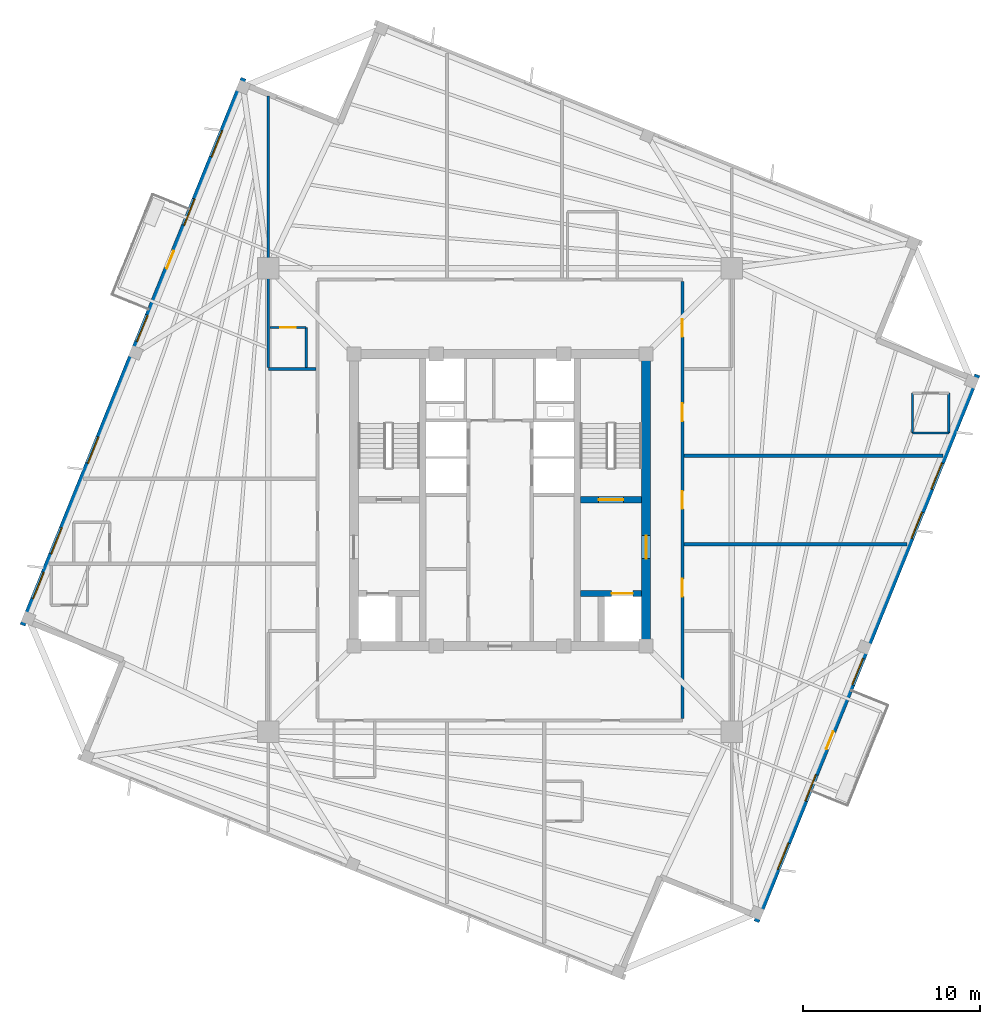
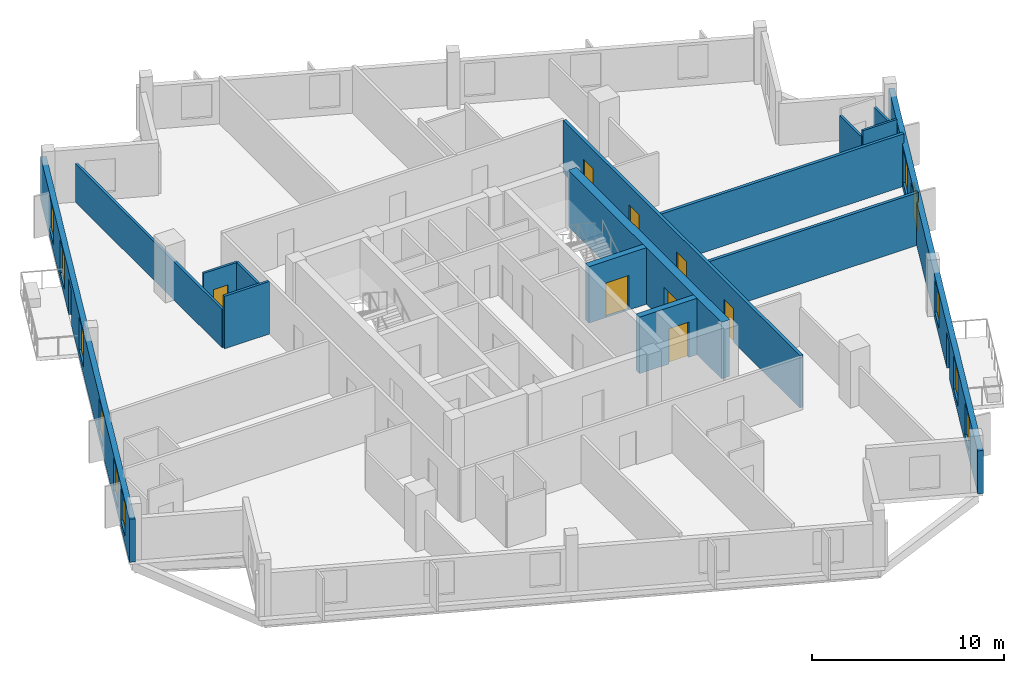
# One storey, part 4 of 8: 15 walls, 11 windows, 10 doors, 21 openings.
"""IFC4 building model written with IfcOpenShell, lengths in metres."""

from ifc_helpers import new_model, si_unit, direction, frame, frame_2d, origin, place, context, subcontext, project, spatial, rectangle, extrude, source, transform, mapped, material, layer, layer_set, type_object, element, fill, save


model = new_model("IFC4")

# Units and contexts
model_context = context("Model", 3, precision=1e-05, world=origin(), true_north=direction((0.0, 1.0)))
body_context = subcontext(model_context, "Body", "Model", "MODEL_VIEW")
ifc_project = project(units=[si_unit("LENGTHUNIT", "METRE"), si_unit("AREAUNIT", "SQUARE_METRE"), si_unit("VOLUMEUNIT", "CUBIC_METRE"), si_unit("PLANEANGLEUNIT", "RADIAN"), si_unit("MASSUNIT", "GRAM", prefix="KILO"), si_unit("THERMODYNAMICTEMPERATUREUNIT", "KELVIN")], contexts=[model_context])

# Site, building, storey
site_placement = place(None, origin())
site = spatial("IfcSite", under=ifc_project, at=site_placement, CompositionType="ELEMENT")
building_placement = place(site_placement, origin())
building = spatial("IfcBuilding", under=site, at=building_placement, Name="Kosmvard Interchange Tower", CompositionType="ELEMENT")
storey_placement = place(building_placement, frame((0.0, 0.0, 304.800048828125)))
storey = spatial("IfcBuildingStorey", under=building, at=storey_placement, Name="L75", CompositionType="ELEMENT", Elevation=304.800048828125)

# Walls
ifc_material_1 = material(Name="Acoustic gypsum partition system")
ifc_layer_1 = layer(ifc_material_1, 0.14990234375, Name="Acoustic gypsum partition system")
ifc_layer_set_1 = layer_set([ifc_layer_1], Name="Acoustic gypsum partition system")
wall_type_1 = type_object("IfcWallType", Name="Acoustic Suite & Meeting Partition 150", PredefinedType="PARTITIONING", material=ifc_layer_set_1)
wall_1_placement = place(storey_placement, frame((-10.39501953125, 7.39990234375, 0.0), z_axis=(0.0, 0.0, 1.0), x_axis=(-1.0, 0.0, 0.0)))
element("IfcWall", 1, at=wall_1_placement, inside=storey, type_object=wall_type_1, Name="L75 Room Partition 09.1", PredefinedType="PARTITIONING", context=body_context, shape_type="SweptSolid", body=[
    extrude(rectangle(XDim=2.68603515625, YDim=0.14990234375, at=frame_2d((1.343017578125, 0.0))), origin(), (0.0, 0.0, 1.0), 3.349853515625),
])
wall_2_placement = place(storey_placement, frame((-13.0810546875, 7.47509765625, 0.0), z_axis=(0.0, 0.0, 1.0), x_axis=(0.0, 1.0, 0.0)))
element("IfcWall", 2, at=wall_2_placement, inside=storey, type_object=wall_type_1, Name="L75 Room Partition 10.1", PredefinedType="PARTITIONING", context=body_context, shape_type="SweptSolid", body=[
    extrude(rectangle(XDim=15.341552734375, YDim=0.14990234375, at=frame_2d((7.6708984375, 0.0))), origin(), (0.0, 0.0, 1.0), 2.449951171875),
])

# Wall, openings, doors
ifc_material_2 = material(Name="Fire-rated gypsum partition system")
ifc_layer_2 = layer(ifc_material_2, 0.179931640625, Name="Fire-rated gypsum partition system")
ifc_layer_set_2 = layer_set([ifc_layer_2], Name="Fire-rated gypsum partition system")
wall_type_2 = type_object("IfcWallType", Name="Corridor & Hotel Compartment Partition 180", PredefinedType="PARTITIONING", material=ifc_layer_set_2)
wall_3_placement = place(storey_placement, frame((10.300048828125, -12.35009765625, 0.0), z_axis=(0.0, 0.0, 1.0), x_axis=(0.0, 1.0, 0.0)))
wall_3 = element("IfcWall", 3, at=wall_3_placement, inside=storey, type_object=wall_type_2, Name="L75 Corridor Wall CE", PredefinedType="PARTITIONING", context=body_context, shape_type="SweptSolid", body=[
    extrude(rectangle(XDim=24.7001953125, YDim=0.179931640625, at=frame_2d((12.35009765625, 0.0))), origin(), (0.0, 0.0, 1.0), 3.349853515625),
])
opening_1_placement = place(wall_3_placement, frame((21.560546875, 0.0, 0.0)))
opening_1 = element("IfcOpeningElement", 4, at=opening_1_placement, cuts=wall_3, Name="Opening L75-D07", PredefinedType="OPENING", context=body_context, shape_type="SweptSolid", body=[
    extrude(rectangle(XDim=1.0, YDim=2.14990234375, at=frame_2d((0.5, 1.074951171875))), frame((0.0, 0.10009765625, 0.0), z_axis=(0.0, -1.0, 0.0), x_axis=(1.0, 0.0, 0.0)), (0.0, 0.0, 1.0), 0.199951171875),
])
opening_2_placement = place(wall_3_placement, frame((16.800048828125, 0.0, 0.0)))
opening_2 = element("IfcOpeningElement", 5, at=opening_2_placement, cuts=wall_3, Name="Opening L75-D08", PredefinedType="OPENING", context=body_context, shape_type="SweptSolid", body=[
    extrude(rectangle(XDim=1.0, YDim=2.14990234375, at=frame_2d((0.5, 1.074951171875))), frame((0.0, 0.10009765625, 0.0), z_axis=(0.0, -1.0, 0.0), x_axis=(1.0, 0.0, 0.0)), (0.0, 0.0, 1.0), 0.199951171875),
])
opening_3_placement = place(wall_3_placement, frame((11.85009765625, 0.0, 0.0)))
opening_3 = element("IfcOpeningElement", 6, at=opening_3_placement, cuts=wall_3, Name="Opening L75-D10", PredefinedType="OPENING", context=body_context, shape_type="SweptSolid", body=[
    extrude(rectangle(XDim=1.0, YDim=2.14990234375, at=frame_2d((0.5, 1.074951171875))), frame((0.0, 0.10009765625, 0.0), z_axis=(0.0, -1.0, 0.0), x_axis=(1.0, 0.0, 0.0)), (0.0, 0.0, 1.0), 0.199951171875),
])
opening_4_placement = place(wall_3_placement, frame((6.89990234375, 0.0, 0.0)))
opening_4 = element("IfcOpeningElement", 7, at=opening_4_placement, cuts=wall_3, Name="Opening L75-D11", PredefinedType="OPENING", context=body_context, shape_type="SweptSolid", body=[
    extrude(rectangle(XDim=1.0, YDim=2.14990234375, at=frame_2d((0.5, 1.074951171875))), frame((0.0, 0.10009765625, 0.0), z_axis=(0.0, -1.0, 0.0), x_axis=(1.0, 0.0, 0.0)), (0.0, 0.0, 1.0), 0.199951171875),
])
ifc_material_3 = material(Name="Engineered oak fire-rated timber", Category="wood")
door_type_1 = type_object("IfcDoorType", Name="Hotel Guestroom Entrance Door 1000x2150 EI60", OperationType="NOTDEFINED", PredefinedType="DOOR", material=ifc_material_3)
shared_shape_1 = source(origin(), body_context, "Body", "SweptSolid", [
    extrude(rectangle(XDim=1.0, YDim=2.14990234375, at=frame_2d((0.5, 1.074951171875))), frame((0.0, 0.02490234375, 0.0), z_axis=(0.0, -1.0, 0.0), x_axis=(1.0, 0.0, 0.0)), (0.0, 0.0, 1.0), 0.050048828125),
])
door_1_placement = place(opening_1_placement, frame((1.0, 0.0, 0.0), z_axis=(0.0, 0.0, 1.0), x_axis=(-1.0, 0.0, 0.0)))
door_1 = element("IfcDoor", 8, at=door_1_placement, inside=storey, type_object=door_type_1, Name="L75 Hotel Sky Banquet Salon Door", OperationType="SINGLE_SWING_LEFT", OverallHeight=2.14990234375, OverallWidth=1.0, PredefinedType="DOOR", context=body_context, shape_type="MappedRepresentation", body=[
    mapped(shared_shape_1, transform((0.0, 0.0, 0.0), scale=1.0)),
])
fill(opening_1, door_1)
door_2_placement = place(opening_2_placement, frame((1.0, 0.0, 0.0), z_axis=(0.0, 0.0, 1.0), x_axis=(-1.0, 0.0, 0.0)))
door_2 = element("IfcDoor", 9, at=door_2_placement, inside=storey, type_object=door_type_1, Name="L75 Hotel Royal Suite 2 Door", OperationType="SINGLE_SWING_RIGHT", OverallHeight=2.14990234375, OverallWidth=1.0, PredefinedType="DOOR", context=body_context, shape_type="MappedRepresentation", body=[
    mapped(shared_shape_1, transform((0.0, 0.0, 0.0), scale=1.0)),
])
fill(opening_2, door_2)
door_3_placement = place(opening_3_placement, frame((1.0, 0.0, 0.0), z_axis=(0.0, 0.0, 1.0), x_axis=(-1.0, 0.0, 0.0)))
door_3 = element("IfcDoor", 10, at=door_3_placement, inside=storey, type_object=door_type_1, Name="L75 Hotel Private Dining Room 1 Door", OperationType="SINGLE_SWING_RIGHT", OverallHeight=2.14990234375, OverallWidth=1.0, PredefinedType="DOOR", context=body_context, shape_type="MappedRepresentation", body=[
    mapped(shared_shape_1, transform((0.0, 0.0, 0.0), scale=1.0)),
])
fill(opening_3, door_3)
door_4_placement = place(opening_4_placement, frame((1.0, 0.0, 0.0), z_axis=(0.0, 0.0, 1.0), x_axis=(-1.0, 0.0, 0.0)))
door_4 = element("IfcDoor", 11, at=door_4_placement, inside=storey, type_object=door_type_1, Name="L75 Hotel Tasting Salon 2 Door", OperationType="SINGLE_SWING_LEFT", OverallHeight=2.14990234375, OverallWidth=1.0, PredefinedType="DOOR", context=body_context, shape_type="MappedRepresentation", body=[
    mapped(shared_shape_1, transform((0.0, 0.0, 0.0), scale=1.0)),
])
fill(opening_4, door_4)

# Walls
wall_4_placement = place(storey_placement, frame((10.39501953125, 2.5, 0.0), z_axis=(0.0, 0.0, 1.0), x_axis=(1.0, 0.0, 0.0)))
element("IfcWall", 12, at=wall_4_placement, inside=storey, type_object=wall_type_2, Name="L75 Room Partition 03.1", PredefinedType="PARTITIONING", context=body_context, shape_type="SweptSolid", body=[
    extrude(rectangle(XDim=14.617919921875, YDim=0.179931640625, at=frame_2d((7.30908203125, 0.0))), origin(), (0.0, 0.0, 1.0), 3.349853515625),
])
wall_5_placement = place(storey_placement, frame((10.39501953125, -2.5, 0.0), z_axis=(0.0, 0.0, 1.0), x_axis=(1.0, 0.0, 0.0)))
element("IfcWall", 13, at=wall_5_placement, inside=storey, type_object=wall_type_2, Name="L75 Room Partition 04.1", PredefinedType="PARTITIONING", context=body_context, shape_type="SweptSolid", body=[
    extrude(rectangle(XDim=12.59765625, YDim=0.179931640625, at=frame_2d((6.298828125, 0.0))), origin(), (0.0, 0.0, 1.0), 3.349853515625),
])

# Wall, opening, door
ifc_material_4 = material(Name="Concrete C60/75", Category="concrete")
ifc_layer_3 = layer(ifc_material_4, 0.360107421875, Name="Concrete C60/75")
ifc_layer_set_3 = layer_set([ifc_layer_3], Name="Concrete C60/75")
wall_type_3 = type_object("IfcWallType", Name="Stair & Lift Shaft Shear Wall 360 C60/75", PredefinedType="SHEAR", material=ifc_layer_set_3)
wall_6_placement = place(storey_placement, frame((4.5400390625, 0.02001953125, 0.0), z_axis=(0.0, 0.0, 1.0), x_axis=(1.0, 0.0, 0.0)))
wall_6 = element("IfcWall", 14, at=wall_6_placement, inside=storey, type_object=wall_type_3, Name="L75 Shaft Shear Wall SW-ST2", PredefinedType="SHEAR", context=body_context, shape_type="SweptSolid", body=[
    extrude(rectangle(XDim=3.4599609375, YDim=0.360107421875, at=frame_2d((1.72998046875, 0.0))), origin(), (0.0, 0.0, 1.0), 3.599853515625),
])
opening_5_placement = place(wall_6_placement, frame((1.030029296875, 0.0, 0.0)))
opening_5 = element("IfcOpeningElement", 15, at=opening_5_placement, cuts=wall_6, Name="Opening L75-SD2", PredefinedType="OPENING", context=body_context, shape_type="SweptSolid", body=[
    extrude(rectangle(XDim=1.39990234375, YDim=2.199951171875, at=frame_2d((0.699951171875, 1.10009765625))), frame((0.0, 0.18994140625, 0.0), z_axis=(0.0, -1.0, 0.0), x_axis=(1.0, 0.0, 0.0)), (0.0, 0.0, 1.0), 0.380126953125),
])
ifc_material_5 = material(Name="Painted fire-rated steel leaf", Category="steel")
door_type_2 = type_object("IfcDoorType", Name="Protected Stair Door 1400x2200 FD60S", OperationType="NOTDEFINED", PredefinedType="DOOR", material=ifc_material_5)
shared_shape_2 = source(origin(), body_context, "Body", "SweptSolid", [
    extrude(rectangle(XDim=1.39990234375, YDim=2.199951171875, at=frame_2d((0.699951171875, 1.10009765625))), frame((0.0, 0.02490234375, 0.0), z_axis=(0.0, -1.0, 0.0), x_axis=(1.0, 0.0, 0.0)), (0.0, 0.0, 1.0), 0.050048828125),
])
door_5_placement = place(opening_5_placement, origin())
door_5 = element("IfcDoor", 16, at=door_5_placement, inside=storey, type_object=door_type_2, Name="L75 Stair ST-2 Enclosure Door", OperationType="SINGLE_SWING_RIGHT", OverallHeight=2.199951171875, OverallWidth=1.39990234375, PredefinedType="DOOR", context=body_context, shape_type="MappedRepresentation", body=[
    mapped(shared_shape_2, transform((0.0, 0.0, 0.0), scale=1.0)),
])
fill(opening_5, door_5)

wall_7_placement = place(storey_placement, frame((4.5400390625, -5.280029296875, 0.0), z_axis=(0.0, 0.0, 1.0), x_axis=(1.0, 0.0, 0.0)))
wall_7 = element("IfcWall", 17, at=wall_7_placement, inside=storey, type_object=wall_type_3, Name="L75 Shaft Shear Wall SW-FF2", PredefinedType="SHEAR", context=body_context, shape_type="SweptSolid", body=[
    extrude(rectangle(XDim=3.4599609375, YDim=0.360107421875, at=frame_2d((1.72998046875, 0.0))), origin(), (0.0, 0.0, 1.0), 3.599853515625),
])
opening_6_placement = place(wall_7_placement, frame((1.760009765625, 0.0, 0.0)))
opening_6 = element("IfcOpeningElement", 18, at=opening_6_placement, cuts=wall_7, Name="Opening LD-FF-2-L75", PredefinedType="OPENING", context=body_context, shape_type="SweptSolid", body=[
    extrude(rectangle(XDim=1.199951171875, YDim=2.25, at=frame_2d((0.60009765625, 1.125))), frame((0.0, 0.18994140625, 0.0), z_axis=(0.0, -1.0, 0.0), x_axis=(1.0, 0.0, 0.0)), (0.0, 0.0, 1.0), 0.380126953125),
])
ifc_material_6 = material(Name="Brushed stainless steel sliding leaf", Category="steel")
door_type_3 = type_object("IfcDoorType", Name="Firefighting Lift Sliding Landing Door 1200x2250 EI120", OperationType="DOUBLE_DOOR_SLIDING", PredefinedType="DOOR", material=ifc_material_6)
shared_shape_3 = source(origin(), body_context, "Body", "SweptSolid", [
    extrude(rectangle(XDim=1.199951171875, YDim=2.25, at=frame_2d((0.60009765625, 1.125))), frame((0.0, 0.02490234375, 0.0), z_axis=(0.0, -1.0, 0.0), x_axis=(1.0, 0.0, 0.0)), (0.0, 0.0, 1.0), 0.050048828125),
])
door_6_placement = place(opening_6_placement, origin())
door_6 = element("IfcDoor", 19, at=door_6_placement, inside=storey, type_object=door_type_3, Name="Lift FF-2 Landing Door L75", OperationType="DOUBLE_DOOR_SLIDING", OverallHeight=2.25, OverallWidth=1.199951171875, PredefinedType="DOOR", context=body_context, shape_type="MappedRepresentation", body=[
    mapped(shared_shape_3, transform((0.0, 0.0, 0.0), scale=1.0)),
])
fill(opening_6, door_6)

ifc_layer_4 = layer(ifc_material_4, 0.5, Name="Concrete C60/75")
ifc_layer_set_4 = layer_set([ifc_layer_4], Name="Concrete C60/75")
wall_type_4 = type_object("IfcWallType", Name="Upper Core Shear Wall 500 C60/75", PredefinedType="SHEAR", material=ifc_layer_set_4)
wall_8_placement = place(storey_placement, frame((8.25, -8.0, 0.0), z_axis=(0.0, 0.0, 1.0), x_axis=(0.0, 1.0, 0.0)))
wall_8 = element("IfcWall", 20, at=wall_8_placement, inside=storey, type_object=wall_type_4, Name="L75 Core Shear Wall CW-E", PredefinedType="SHEAR", context=body_context, shape_type="SweptSolid", body=[
    extrude(rectangle(XDim=16.0, YDim=0.5, at=frame_2d((8.0, 0.0))), origin(), (0.0, 0.0, 1.0), 3.599853515625),
])
opening_7_placement = place(wall_8_placement, frame((4.68994140625, 0.0, 0.0)))
opening_7 = element("IfcOpeningElement", 21, at=opening_7_placement, cuts=wall_8, Name="Opening L75-FD2", PredefinedType="OPENING", context=body_context, shape_type="SweptSolid", body=[
    extrude(rectangle(XDim=1.300048828125, YDim=2.199951171875, at=frame_2d((0.64990234375, 1.10009765625))), frame((0.0, 0.260009765625, 0.0), z_axis=(0.0, -1.0, 0.0), x_axis=(1.0, 0.0, 0.0)), (0.0, 0.0, 1.0), 0.52001953125),
])
door_type_4 = type_object("IfcDoorType", Name="Firefighting Lobby Door 1300x2200 EI60", OperationType="NOTDEFINED", PredefinedType="DOOR", material=ifc_material_5)
shared_shape_4 = source(origin(), body_context, "Body", "SweptSolid", [
    extrude(rectangle(XDim=1.300048828125, YDim=2.199951171875, at=frame_2d((0.64990234375, 1.10009765625))), frame((0.0, 0.02490234375, 0.0), z_axis=(0.0, -1.0, 0.0), x_axis=(1.0, 0.0, 0.0)), (0.0, 0.0, 1.0), 0.050048828125),
])
door_7_placement = place(opening_7_placement, origin())
door_7 = element("IfcDoor", 22, at=door_7_placement, inside=storey, type_object=door_type_4, Name="L75 Firefighting Lobby East Door", OperationType="SINGLE_SWING_RIGHT", OverallHeight=2.199951171875, OverallWidth=1.300048828125, PredefinedType="DOOR", context=body_context, shape_type="MappedRepresentation", body=[
    mapped(shared_shape_4, transform((0.0, 0.0, 0.0), scale=1.0)),
])
fill(opening_7, door_7)

# Wall, openings, door, windows
ifc_material_7 = material(Name="Precast concrete C45/55", Category="concrete")
ifc_layer_5 = layer(ifc_material_7, 0.31005859375, Name="Precast concrete C45/55")
ifc_layer_set_5 = layer_set([ifc_layer_5], Name="Precast concrete C45/55")
wall_type_5 = type_object("IfcWallType", Name="Upper Tower Precast Pier Wall 310 C45/55", PredefinedType="STANDARD", material=ifc_layer_set_5)
wall_9_placement = place(storey_placement, frame((14.478759765625, -23.812744140625, 0.0), z_axis=(0.0, 0.0, 1.0), x_axis=(0.374609557019, 0.927182657188, 0.0)))
wall_9 = element("IfcWall", 23, at=wall_9_placement, inside=storey, type_object=wall_type_5, Name="L75 Precast Facade Wall F-S", PredefinedType="STANDARD", context=body_context, shape_type="SweptSolid", body=[
    extrude(rectangle(XDim=33.31005859375, YDim=0.31005859375, at=frame_2d((16.655029296875, 0.0))), origin(), (0.0, 0.0, 1.0), 2.75),
])
opening_8_placement = place(wall_9_placement, frame((10.530029296875, 0.0, 0.0)))
opening_8 = element("IfcOpeningElement", 24, at=opening_8_placement, cuts=wall_9, Name="Opening L75-BDS", PredefinedType="OPENING", context=body_context, shape_type="SweptSolid", body=[
    extrude(rectangle(XDim=1.050048828125, YDim=2.25, at=frame_2d((0.52490234375, 1.125))), frame((0.0, 0.1650390625, 0.0), z_axis=(0.0, -1.0, 0.0), x_axis=(1.0, 0.0, 0.0)), (0.0, 0.0, 1.0), 0.330078125),
])
opening_9_placement = place(wall_9_placement, frame((3.197265625, 0.0, 0.469970703125)))
opening_9 = element("IfcOpeningElement", 25, at=opening_9_placement, cuts=wall_9, Name="Opening L75-W01", PredefinedType="OPENING", context=body_context, shape_type="SweptSolid", body=[
    extrude(rectangle(XDim=1.60009765625, YDim=2.10009765625, at=frame_2d((0.800048828125, 1.050048828125))), frame((0.0, 0.1650390625, 0.0), z_axis=(0.0, -1.0, 0.0), x_axis=(1.0, 0.0, 0.0)), (0.0, 0.0, 1.0), 0.330078125),
])
opening_10_placement = place(wall_9_placement, frame((7.35986328125, 0.0, 0.469970703125)))
opening_10 = element("IfcOpeningElement", 26, at=opening_10_placement, cuts=wall_9, Name="Opening L75-W02", PredefinedType="OPENING", context=body_context, shape_type="SweptSolid", body=[
    extrude(rectangle(XDim=1.60009765625, YDim=2.10009765625, at=frame_2d((0.800048828125, 1.050048828125))), frame((0.0, 0.1650390625, 0.0), z_axis=(0.0, -1.0, 0.0), x_axis=(1.0, 0.0, 0.0)), (0.0, 0.0, 1.0), 0.330078125),
])
opening_11_placement = place(wall_9_placement, frame((14.438720703125, 0.0, 0.469970703125)))
opening_11 = element("IfcOpeningElement", 27, at=opening_11_placement, cuts=wall_9, Name="Opening L75-W03", PredefinedType="OPENING", context=body_context, shape_type="SweptSolid", body=[
    extrude(rectangle(XDim=1.60009765625, YDim=2.10009765625, at=frame_2d((0.800048828125, 1.050048828125))), frame((0.0, 0.1650390625, 0.0), z_axis=(0.0, -1.0, 0.0), x_axis=(1.0, 0.0, 0.0)), (0.0, 0.0, 1.0), 0.330078125),
])
opening_12_placement = place(wall_9_placement, frame((23.350830078125, 0.0, 0.469970703125)))
opening_12 = element("IfcOpeningElement", 28, at=opening_12_placement, cuts=wall_9, Name="Opening L75-W04", PredefinedType="OPENING", context=body_context, shape_type="SweptSolid", body=[
    extrude(rectangle(XDim=1.60009765625, YDim=2.10009765625, at=frame_2d((0.800048828125, 1.050048828125))), frame((0.0, 0.1650390625, 0.0), z_axis=(0.0, -1.0, 0.0), x_axis=(1.0, 0.0, 0.0)), (0.0, 0.0, 1.0), 0.330078125),
])
opening_13_placement = place(wall_9_placement, frame((26.3466796875, 0.0, 0.469970703125)))
opening_13 = element("IfcOpeningElement", 29, at=opening_13_placement, cuts=wall_9, Name="Opening L75-W05", PredefinedType="OPENING", context=body_context, shape_type="SweptSolid", body=[
    extrude(rectangle(XDim=1.60009765625, YDim=2.10009765625, at=frame_2d((0.800048828125, 1.050048828125))), frame((0.0, 0.1650390625, 0.0), z_axis=(0.0, -1.0, 0.0), x_axis=(1.0, 0.0, 0.0)), (0.0, 0.0, 1.0), 0.330078125),
])
ifc_material_8 = material(Name="Anodised aluminium and safety glass", Category="aluminium")
door_type_5 = type_object("IfcDoorType", Name="Tree-Balcony Glazed Door 1050x2250", OperationType="NOTDEFINED", PredefinedType="DOOR", material=ifc_material_8)
shared_shape_5 = source(origin(), body_context, "Body", "SweptSolid", [
    extrude(rectangle(XDim=1.050048828125, YDim=2.25, at=frame_2d((0.52490234375, 1.125))), frame((0.0, 0.02490234375, 0.0), z_axis=(0.0, -1.0, 0.0), x_axis=(1.0, 0.0, 0.0)), (0.0, 0.0, 1.0), 0.050048828125),
])
door_8_placement = place(opening_8_placement, origin())
door_8 = element("IfcDoor", 30, at=door_8_placement, inside=storey, type_object=door_type_5, Name="L75 Tree-Balcony Door BAL-L75-S", OperationType="SINGLE_SWING_RIGHT", OverallHeight=2.25, OverallWidth=1.050048828125, PredefinedType="DOOR", context=body_context, shape_type="MappedRepresentation", body=[
    mapped(shared_shape_5, transform((0.0, 0.0, 0.0), scale=1.0)),
])
fill(opening_8, door_8)
ifc_material_9 = material(Name="Low-E acoustic double glazing", Category="glass")
window_type = type_object("IfcWindowType", Name="Zone 5 Hotel Punched Window 1600x2100", PartitioningType="SINGLE_PANEL", PredefinedType="WINDOW", material=ifc_material_9)
shared_shape_6 = source(origin(), body_context, "Body", "SweptSolid", [
    extrude(rectangle(XDim=1.60009765625, YDim=2.10009765625, at=frame_2d((0.800048828125, 1.050048828125))), frame((0.0, 0.030029296875, 0.0), z_axis=(0.0, -1.0, 0.0), x_axis=(1.0, 0.0, 0.0)), (0.0, 0.0, 1.0), 0.06005859375),
])
window_1_placement = place(opening_9_placement, origin())
window_1 = element("IfcWindow", 31, at=window_1_placement, inside=storey, type_object=window_type, Name="L75 Facade Punched Window 01", OverallHeight=2.10009765625, OverallWidth=1.60009765625, PartitioningType="SINGLE_PANEL", PredefinedType="WINDOW", context=body_context, shape_type="MappedRepresentation", body=[
    mapped(shared_shape_6, transform((0.0, 0.0, 0.0), scale=1.0)),
])
fill(opening_9, window_1)
window_2_placement = place(opening_10_placement, origin())
window_2 = element("IfcWindow", 32, at=window_2_placement, inside=storey, type_object=window_type, Name="L75 Facade Punched Window 02", OverallHeight=2.10009765625, OverallWidth=1.60009765625, PartitioningType="SINGLE_PANEL", PredefinedType="WINDOW", context=body_context, shape_type="MappedRepresentation", body=[
    mapped(shared_shape_6, transform((0.0, 0.0, 0.0), scale=1.0)),
])
fill(opening_10, window_2)
window_3_placement = place(opening_11_placement, origin())
window_3 = element("IfcWindow", 33, at=window_3_placement, inside=storey, type_object=window_type, Name="L75 Facade Punched Window 03", OverallHeight=2.10009765625, OverallWidth=1.60009765625, PartitioningType="SINGLE_PANEL", PredefinedType="WINDOW", context=body_context, shape_type="MappedRepresentation", body=[
    mapped(shared_shape_6, transform((0.0, 0.0, 0.0), scale=1.0)),
])
fill(opening_11, window_3)
window_4_placement = place(opening_12_placement, origin())
window_4 = element("IfcWindow", 34, at=window_4_placement, inside=storey, type_object=window_type, Name="L75 Facade Punched Window 04", OverallHeight=2.10009765625, OverallWidth=1.60009765625, PartitioningType="SINGLE_PANEL", PredefinedType="WINDOW", context=body_context, shape_type="MappedRepresentation", body=[
    mapped(shared_shape_6, transform((0.0, 0.0, 0.0), scale=1.0)),
])
fill(opening_12, window_4)
window_5_placement = place(opening_13_placement, origin())
window_5 = element("IfcWindow", 35, at=window_5_placement, inside=storey, type_object=window_type, Name="L75 Facade Punched Window 05", OverallHeight=2.10009765625, OverallWidth=1.60009765625, PartitioningType="SINGLE_PANEL", PredefinedType="WINDOW", context=body_context, shape_type="MappedRepresentation", body=[
    mapped(shared_shape_6, transform((0.0, 0.0, 0.0), scale=1.0)),
])
fill(opening_13, window_5)

wall_10_placement = place(storey_placement, frame((-14.478759765625, 23.812744140625, 0.0), z_axis=(0.0, 0.0, 1.0), x_axis=(-0.374609557019, -0.927182657188, 0.0)))
wall_10 = element("IfcWall", 36, at=wall_10_placement, inside=storey, type_object=wall_type_5, Name="L75 Precast Facade Wall F-N", PredefinedType="STANDARD", context=body_context, shape_type="SweptSolid", body=[
    extrude(rectangle(XDim=33.31005859375, YDim=0.31005859375, at=frame_2d((16.655029296875, 0.0))), origin(), (0.0, 0.0, 1.0), 2.75),
])
opening_14_placement = place(wall_10_placement, frame((10.530029296875, 0.0, 0.0)))
opening_14 = element("IfcOpeningElement", 37, at=opening_14_placement, cuts=wall_10, Name="Opening L75-BDN", PredefinedType="OPENING", context=body_context, shape_type="SweptSolid", body=[
    extrude(rectangle(XDim=1.050048828125, YDim=2.25, at=frame_2d((0.52490234375, 1.125))), frame((0.0, 0.1650390625, 0.0), z_axis=(0.0, -1.0, 0.0), x_axis=(1.0, 0.0, 0.0)), (0.0, 0.0, 1.0), 0.330078125),
])
opening_15_placement = place(wall_10_placement, frame((3.197265625, 0.0, 0.469970703125)))
opening_15 = element("IfcOpeningElement", 38, at=opening_15_placement, cuts=wall_10, Name="Opening L75-W11", PredefinedType="OPENING", context=body_context, shape_type="SweptSolid", body=[
    extrude(rectangle(XDim=1.60009765625, YDim=2.10009765625, at=frame_2d((0.800048828125, 1.050048828125))), frame((0.0, 0.1650390625, 0.0), z_axis=(0.0, -1.0, 0.0), x_axis=(1.0, 0.0, 0.0)), (0.0, 0.0, 1.0), 0.330078125),
])
opening_16_placement = place(wall_10_placement, frame((7.35986328125, 0.0, 0.469970703125)))
opening_16 = element("IfcOpeningElement", 39, at=opening_16_placement, cuts=wall_10, Name="Opening L75-W12", PredefinedType="OPENING", context=body_context, shape_type="SweptSolid", body=[
    extrude(rectangle(XDim=1.60009765625, YDim=2.10009765625, at=frame_2d((0.800048828125, 1.050048828125))), frame((0.0, 0.1650390625, 0.0), z_axis=(0.0, -1.0, 0.0), x_axis=(1.0, 0.0, 0.0)), (0.0, 0.0, 1.0), 0.330078125),
])
opening_17_placement = place(wall_10_placement, frame((14.438720703125, 0.0, 0.469970703125)))
opening_17 = element("IfcOpeningElement", 40, at=opening_17_placement, cuts=wall_10, Name="Opening L75-W13", PredefinedType="OPENING", context=body_context, shape_type="SweptSolid", body=[
    extrude(rectangle(XDim=1.60009765625, YDim=2.10009765625, at=frame_2d((0.800048828125, 1.050048828125))), frame((0.0, 0.1650390625, 0.0), z_axis=(0.0, -1.0, 0.0), x_axis=(1.0, 0.0, 0.0)), (0.0, 0.0, 1.0), 0.330078125),
])
opening_18_placement = place(wall_10_placement, frame((21.850830078125, 0.0, 0.469970703125)))
opening_18 = element("IfcOpeningElement", 41, at=opening_18_placement, cuts=wall_10, Name="Opening L75-W14", PredefinedType="OPENING", context=body_context, shape_type="SweptSolid", body=[
    extrude(rectangle(XDim=1.60009765625, YDim=2.10009765625, at=frame_2d((0.800048828125, 1.050048828125))), frame((0.0, 0.1650390625, 0.0), z_axis=(0.0, -1.0, 0.0), x_axis=(1.0, 0.0, 0.0)), (0.0, 0.0, 1.0), 0.330078125),
])
opening_19_placement = place(wall_10_placement, frame((30.0966796875, 0.0, 0.469970703125)))
opening_19 = element("IfcOpeningElement", 42, at=opening_19_placement, cuts=wall_10, Name="Opening L75-W15", PredefinedType="OPENING", context=body_context, shape_type="SweptSolid", body=[
    extrude(rectangle(XDim=1.60009765625, YDim=2.10009765625, at=frame_2d((0.800048828125, 1.050048828125))), frame((0.0, 0.1650390625, 0.0), z_axis=(0.0, -1.0, 0.0), x_axis=(1.0, 0.0, 0.0)), (0.0, 0.0, 1.0), 0.330078125),
])
opening_20_placement = place(wall_10_placement, frame((27.374267578125, 0.0, 0.469970703125)))
opening_20 = element("IfcOpeningElement", 43, at=opening_20_placement, cuts=wall_10, Name="Opening L75-DW25", PredefinedType="OPENING", context=body_context, shape_type="SweptSolid", body=[
    extrude(rectangle(XDim=1.60009765625, YDim=2.10009765625, at=frame_2d((0.800048828125, 1.050048828125))), frame((0.0, 0.1650390625, 0.0), z_axis=(0.0, -1.0, 0.0), x_axis=(1.0, 0.0, 0.0)), (0.0, 0.0, 1.0), 0.330078125),
])
door_9_placement = place(opening_14_placement, origin())
door_9 = element("IfcDoor", 44, at=door_9_placement, inside=storey, type_object=door_type_5, Name="L75 Tree-Balcony Door BAL-L75-N", OperationType="SINGLE_SWING_RIGHT", OverallHeight=2.25, OverallWidth=1.050048828125, PredefinedType="DOOR", context=body_context, shape_type="MappedRepresentation", body=[
    mapped(shared_shape_5, transform((0.0, 0.0, 0.0), scale=1.0)),
])
fill(opening_14, door_9)
window_6_placement = place(opening_15_placement, origin())
window_6 = element("IfcWindow", 45, at=window_6_placement, inside=storey, type_object=window_type, Name="L75 Facade Punched Window 11", OverallHeight=2.10009765625, OverallWidth=1.60009765625, PartitioningType="SINGLE_PANEL", PredefinedType="WINDOW", context=body_context, shape_type="MappedRepresentation", body=[
    mapped(shared_shape_6, transform((0.0, 0.0, 0.0), scale=1.0)),
])
fill(opening_15, window_6)
window_7_placement = place(opening_16_placement, origin())
window_7 = element("IfcWindow", 46, at=window_7_placement, inside=storey, type_object=window_type, Name="L75 Facade Punched Window 12", OverallHeight=2.10009765625, OverallWidth=1.60009765625, PartitioningType="SINGLE_PANEL", PredefinedType="WINDOW", context=body_context, shape_type="MappedRepresentation", body=[
    mapped(shared_shape_6, transform((0.0, 0.0, 0.0), scale=1.0)),
])
fill(opening_16, window_7)
window_8_placement = place(opening_17_placement, origin())
window_8 = element("IfcWindow", 47, at=window_8_placement, inside=storey, type_object=window_type, Name="L75 Facade Punched Window 13", OverallHeight=2.10009765625, OverallWidth=1.60009765625, PartitioningType="SINGLE_PANEL", PredefinedType="WINDOW", context=body_context, shape_type="MappedRepresentation", body=[
    mapped(shared_shape_6, transform((0.0, 0.0, 0.0), scale=1.0)),
])
fill(opening_17, window_8)
window_9_placement = place(opening_18_placement, origin())
window_9 = element("IfcWindow", 48, at=window_9_placement, inside=storey, type_object=window_type, Name="L75 Facade Punched Window 14", OverallHeight=2.10009765625, OverallWidth=1.60009765625, PartitioningType="SINGLE_PANEL", PredefinedType="WINDOW", context=body_context, shape_type="MappedRepresentation", body=[
    mapped(shared_shape_6, transform((0.0, 0.0, 0.0), scale=1.0)),
])
fill(opening_18, window_9)
window_10_placement = place(opening_19_placement, origin())
window_10 = element("IfcWindow", 49, at=window_10_placement, inside=storey, type_object=window_type, Name="L75 Facade Punched Window 15", OverallHeight=2.10009765625, OverallWidth=1.60009765625, PartitioningType="SINGLE_PANEL", PredefinedType="WINDOW", context=body_context, shape_type="MappedRepresentation", body=[
    mapped(shared_shape_6, transform((0.0, 0.0, 0.0), scale=1.0)),
])
fill(opening_19, window_10)
window_11_placement = place(opening_20_placement, origin())
window_11 = element("IfcWindow", 50, at=window_11_placement, inside=storey, type_object=window_type, Name="L75 Guest Room Punched Window 25", OverallHeight=2.10009765625, OverallWidth=1.60009765625, PartitioningType="SINGLE_PANEL", PredefinedType="WINDOW", context=body_context, shape_type="MappedRepresentation", body=[
    mapped(shared_shape_6, transform((0.0, 0.0, 0.0), scale=1.0)),
])
fill(opening_20, window_11)

# Wall
ifc_material_10 = material(Name="Moisture-resistant gypsum partition")
ifc_layer_6 = layer(ifc_material_10, 0.135009765625, Name="Moisture-resistant gypsum partition")
ifc_layer_set_6 = layer_set([ifc_layer_6], Name="Moisture-resistant gypsum partition")
wall_type_6 = type_object("IfcWallType", Name="Wet Room Moisture-Resistant Partition 135", PredefinedType="PARTITIONING", material=ifc_layer_set_6)
wall_11_placement = place(storey_placement, frame((-10.94091796875, 7.489990234375, 0.0), z_axis=(0.0, 0.0, 1.0), x_axis=(0.0, 1.0, 0.0)))
element("IfcWall", 51, at=wall_11_placement, inside=storey, type_object=wall_type_6, Name="L75 En-Suite Partition HPR1-E", PredefinedType="PARTITIONING", context=body_context, shape_type="SweptSolid", body=[
    extrude(rectangle(XDim=2.25, YDim=0.135009765625, at=frame_2d((1.125, 0.0))), origin(), (0.0, 0.0, 1.0), 3.349853515625),
])

# Wall, opening, door
wall_12_placement = place(storey_placement, frame((-12.990966796875, 9.739990234375, 0.0), z_axis=(0.0, 0.0, 1.0), x_axis=(1.0, 0.0, 0.0)))
wall_12 = element("IfcWall", 52, at=wall_12_placement, inside=storey, type_object=wall_type_6, Name="L75 En-Suite Partition HPR1-N", PredefinedType="PARTITIONING", context=body_context, shape_type="SweptSolid", body=[
    extrude(rectangle(XDim=2.050048828125, YDim=0.135009765625, at=frame_2d((1.02490234375, 0.0))), origin(), (0.0, 0.0, 1.0), 3.349853515625),
])
opening_21_placement = place(wall_12_placement, frame((0.5849609375, 0.0, 0.0)))
opening_21 = element("IfcOpeningElement", 53, at=opening_21_placement, cuts=wall_12, Name="Opening L75-ED05", PredefinedType="OPENING", context=body_context, shape_type="SweptSolid", body=[
    extrude(rectangle(XDim=0.8798828125, YDim=2.10009765625, at=frame_2d((0.43994140625, 1.050048828125))), frame((0.0, 0.07763671875, 0.0), z_axis=(0.0, -1.0, 0.0), x_axis=(1.0, 0.0, 0.0)), (0.0, 0.0, 1.0), 0.155029296875),
])
ifc_material_11 = material(Name="Laminated moisture-resistant timber", Category="wood")
door_type_6 = type_object("IfcDoorType", Name="En-Suite & Washroom Door 880x2100", OperationType="NOTDEFINED", PredefinedType="DOOR", material=ifc_material_11)
shared_shape_7 = source(origin(), body_context, "Body", "SweptSolid", [
    extrude(rectangle(XDim=0.8798828125, YDim=2.10009765625, at=frame_2d((0.43994140625, 1.050048828125))), frame((0.0, 0.02490234375, 0.0), z_axis=(0.0, -1.0, 0.0), x_axis=(1.0, 0.0, 0.0)), (0.0, 0.0, 1.0), 0.050048828125),
])
door_10_placement = place(opening_21_placement, frame((0.8798828125, 0.0, 0.0), z_axis=(0.0, 0.0, 1.0), x_axis=(-1.0, 0.0, 0.0)))
door_10 = element("IfcDoor", 54, at=door_10_placement, inside=storey, type_object=door_type_6, Name="L75 HPR1 En-Suite Door", OperationType="SINGLE_SWING_RIGHT", OverallHeight=2.10009765625, OverallWidth=0.8798828125, PredefinedType="DOOR", context=body_context, shape_type="MappedRepresentation", body=[
    mapped(shared_shape_7, transform((0.0, 0.0, 0.0), scale=1.0)),
])
fill(opening_21, door_10)

# Walls
wall_13_placement = place(storey_placement, frame((23.29150390625, 3.780029296875, 0.0), z_axis=(0.0, 0.0, 1.0), x_axis=(1.0, 0.0, 0.0)))
element("IfcWall", 55, at=wall_13_placement, inside=storey, type_object=wall_type_6, Name="L75 En-Suite Partition HPR2-S", PredefinedType="PARTITIONING", context=body_context, shape_type="SweptSolid", body=[
    extrude(rectangle(XDim=2.050048828125, YDim=0.135009765625, at=frame_2d((1.02490234375, 0.0))), origin(), (0.0, 0.0, 1.0), 3.349853515625),
])
wall_14_placement = place(storey_placement, frame((25.341552734375, 3.780029296875, 0.0), z_axis=(0.0, 0.0, 1.0), x_axis=(0.0, 1.0, 0.0)))
element("IfcWall", 56, at=wall_14_placement, inside=storey, type_object=wall_type_6, Name="L75 En-Suite Partition HPR2-E", PredefinedType="PARTITIONING", context=body_context, shape_type="SweptSolid", body=[
    extrude(rectangle(XDim=2.25, YDim=0.135009765625, at=frame_2d((1.125, 0.0))), origin(), (0.0, 0.0, 1.0), 2.75),
])
wall_15_placement = place(storey_placement, frame((23.29150390625, 3.780029296875, 0.0), z_axis=(0.0, 0.0, 1.0), x_axis=(0.0, 1.0, 0.0)))
element("IfcWall", 57, at=wall_15_placement, inside=storey, type_object=wall_type_6, Name="L75 En-Suite Partition HPR2-W", PredefinedType="PARTITIONING", context=body_context, shape_type="SweptSolid", body=[
    extrude(rectangle(XDim=2.25, YDim=0.135009765625, at=frame_2d((1.125, 0.0))), origin(), (0.0, 0.0, 1.0), 2.949951171875),
])

save(model, "model.ifc")
